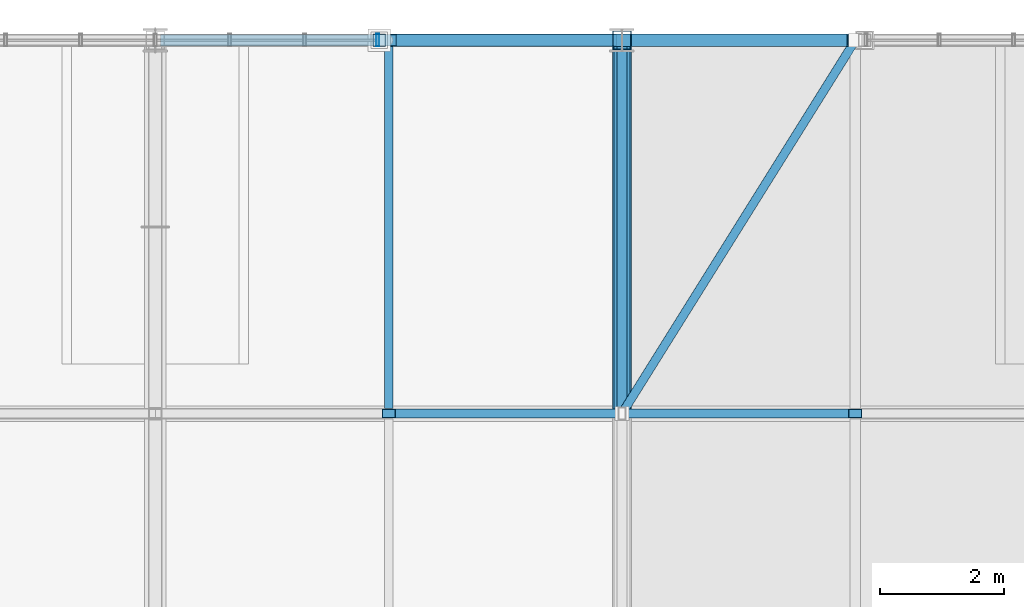
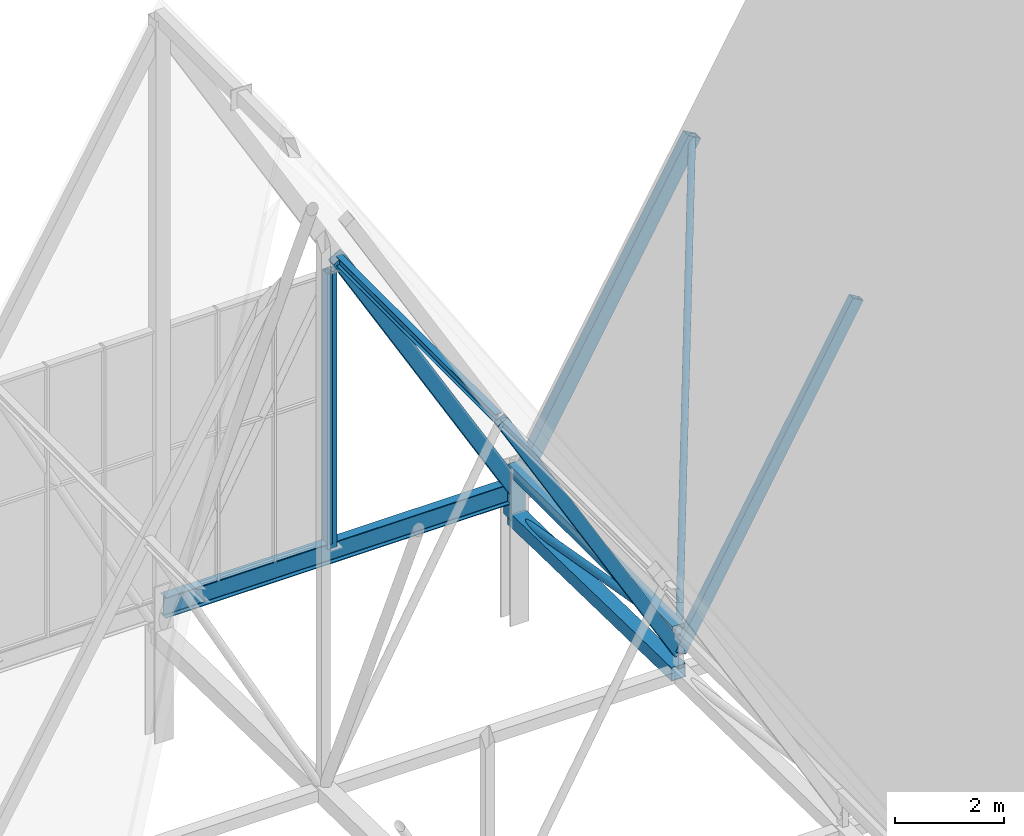
# One storey, part 119 of 324: 11 members, 2 beams, 1 element without a shape of its own.
"""IFC4 building model written with IfcOpenShell, lengths in metres."""

from ifc_helpers import new_model, si_unit, direction, frame, origin, origin_2d, place, context, subcontext, project, spatial, hollow_rectangle, hollow_circle, i_section, extrude, material, layer, layer_set, material_profile, profile_set, type_object, element, aggregate, save


model = new_model("IFC4")

# Units and contexts
model_context = context("Model", 3, precision=1e-05, world=origin(), true_north=direction((0.0, 1.0)))
body_context = subcontext(model_context, "Body", "Model", "MODEL_VIEW")
ifc_project = project(units=[si_unit("LENGTHUNIT", "METRE"), si_unit("AREAUNIT", "SQUARE_METRE"), si_unit("VOLUMEUNIT", "CUBIC_METRE"), si_unit("PLANEANGLEUNIT", "RADIAN"), si_unit("MASSUNIT", "GRAM", prefix="KILO")], contexts=[model_context])

# Site, building, storey
site_placement = place(None, origin())
site = spatial("IfcSite", under=ifc_project, at=site_placement, CompositionType="ELEMENT")
building_placement = place(site_placement, origin())
building = spatial("IfcBuilding", under=site, at=building_placement, Name="Solvenia Promenade Tram Depot", CompositionType="ELEMENT")
storey_placement = place(building_placement, frame((0.0, 0.0, 4.5)))
storey = spatial("IfcBuildingStorey", under=building, at=storey_placement, Name="L01", CompositionType="ELEMENT", Elevation=4.5)

# Curtain wall, member
ifc_material_1 = material(Name="Anodized aluminium AW-6063 T6", Category="aluminium")
ifc_layer = layer(ifc_material_1, 0.14990234375, Name="Anodized aluminium AW-6063 T6", Category="aluminium")
ifc_layer_set = layer_set([ifc_layer], Name="Anodized aluminium AW-6063 T6")
curtain_wall_type = type_object("IfcCurtainWallType", Name="CW-Gable-1200", PredefinedType="NOTDEFINED", material=ifc_layer_set)
curtain_wall_placement = place(storey_placement, origin())
curtain_wall = element("IfcCurtainWall", 1, at=curtain_wall_placement, inside=storey, type_object=curtain_wall_type, Name="North Zigzag Gable 04 Peak Glazing", PredefinedType="NOTDEFINED")
ifc_material_profile_1 = material_profile(ifc_material_1, hollow_rectangle(XDim=0.199951171875, YDim=0.048095703125, WallThickness=0.00390625, at=origin_2d()), Name="ALU-M3", Category="aluminium")
ifc_profile_set_1 = profile_set([ifc_material_profile_1], Name="Anodized aluminium AW-6063 T6")
member_type_1 = type_object("IfcMemberType", Name="CWM-Mullion-3", PredefinedType="MULLION", material=ifc_profile_set_1)
member_1_placement = place(storey_placement, frame((56.075927734375, 126.0, 3.10009765625), z_axis=(0.0, 0.0, 1.0), x_axis=(0.0, 1.0, 0.0)))
member_1 = element("IfcMember", 2, at=member_1_placement, type_object=member_type_1, Name="CW-3 mullion 7", PredefinedType="MULLION", context=body_context, shape_type="SweptSolid", body=[
    extrude(hollow_rectangle(XDim=0.199951171875, YDim=0.048095703125, WallThickness=0.00390625, at=origin_2d()), origin(), (0.0, 0.0, 1.0), 6.0498046875),
])
aggregate(curtain_wall, [member_1])

# Members
ifc_material_2 = material(Name="Structural steel ASTM A500 Gr. C", Category="steel")
ifc_material_profile_2 = material_profile(ifc_material_2, hollow_rectangle(XDim=0.14990234375, YDim=0.25, WallThickness=0.010009765625, at=origin_2d()), Name="HSS250x150x10", Category="steel")
ifc_profile_set_2 = profile_set([ifc_material_profile_2], Name="Structural steel ASTM A500 Gr. C")
member_type_2 = type_object("IfcMemberType", Name="Chord-HSS250x150x10", PredefinedType="CHORD", material=ifc_profile_set_2)
member_2_placement = place(storey_placement, frame((56.25, 120.0, 9.39013671875), z_axis=(0.501516268578, 0.0, -0.865148214095), x_axis=(0.0, 1.0, 0.0)))
element("IfcMember", 3, at=member_2_placement, inside=storey, type_object=member_type_2, Name="Zigzag Gable 04 East Lower Rafter", PredefinedType="CHORD", context=body_context, shape_type="SweptSolid", body=[
    extrude(hollow_rectangle(XDim=0.14990234375, YDim=0.25, WallThickness=0.010009765625, at=origin_2d()), origin(), (0.0, 0.0, 1.0), 7.477294921875),
])
member_3_placement = place(storey_placement, frame((60.0, 120.0, 2.916259765625), z_axis=(0.494861595532, 0.0, 0.868971806946), x_axis=(0.0, 1.0, 0.0)))
element("IfcMember", 4, at=member_3_placement, inside=storey, type_object=member_type_2, Name="Zigzag Gable 05 West Lower Rafter", PredefinedType="CHORD", context=body_context, shape_type="SweptSolid", body=[
    extrude(hollow_rectangle(XDim=0.14990234375, YDim=0.25, WallThickness=0.010009765625, at=origin_2d()), origin(), (0.0, 0.0, 1.0), 7.577880859375),
])
ifc_material_profile_3 = material_profile(ifc_material_2, hollow_rectangle(XDim=0.25, YDim=0.25, WallThickness=0.010009765625, at=origin_2d()), Name="HSS250x250x10", Category="steel")
ifc_profile_set_3 = profile_set([ifc_material_profile_3], Name="Structural steel ASTM A500 Gr. C")
member_type_3 = type_object("IfcMemberType", Name="Chord-HSS250x250x10", PredefinedType="CHORD", material=ifc_profile_set_3)
member_4_placement = place(storey_placement, frame((60.0, 120.0, 3.3798828125), z_axis=(0.0, 1.0, 0.0), x_axis=(-1.0, 0.0, 0.0)))
element("IfcMember", 5, at=member_4_placement, inside=storey, type_object=member_type_3, Name="Arched Truss T09 Upper Chord S10", PredefinedType="CHORD", context=body_context, shape_type="SweptSolid", body=[
    extrude(hollow_rectangle(XDim=0.25, YDim=0.25, WallThickness=0.010009765625, at=origin_2d()), origin(), (0.0, 0.0, 1.0), 6.0),
])
ifc_material_profile_4 = material_profile(ifc_material_2, hollow_rectangle(XDim=0.199951171875, YDim=0.300048828125, WallThickness=0.012451171875, at=origin_2d()), Name="HSS300x200x12.5", Category="steel")
ifc_profile_set_4 = profile_set([ifc_material_profile_4], Name="Structural steel ASTM A500 Gr. C")
member_type_4 = type_object("IfcMemberType", Name="Chord-HSS300x200x12", PredefinedType="CHORD", material=ifc_profile_set_4)
member_5_placement = place(storey_placement, frame((56.25, 126.0, 9.39013671875), z_axis=(0.501516268578, 0.0, -0.865148214095), x_axis=(0.0, 1.0, 0.0)))
element("IfcMember", 6, at=member_5_placement, inside=storey, type_object=member_type_4, Name="Zigzag Gable 04 East Lower Rafter", PredefinedType="CHORD", context=body_context, shape_type="SweptSolid", body=[
    extrude(hollow_rectangle(XDim=0.199951171875, YDim=0.300048828125, WallThickness=0.012451171875, at=origin_2d()), origin(), (0.0, 0.0, 1.0), 7.477294921875),
])
member_6_placement = place(storey_placement, frame((60.0, 126.0, 2.916259765625), z_axis=(0.494861595532, 0.0, 0.868971806946), x_axis=(0.0, 1.0, 0.0)))
element("IfcMember", 7, at=member_6_placement, inside=storey, type_object=member_type_4, Name="Zigzag Gable 05 West Lower Rafter", PredefinedType="CHORD", context=body_context, shape_type="SweptSolid", body=[
    extrude(hollow_rectangle(XDim=0.199951171875, YDim=0.300048828125, WallThickness=0.012451171875, at=origin_2d()), origin(), (0.0, 0.0, 1.0), 7.577880859375),
])
ifc_material_profile_5 = material_profile(ifc_material_2, hollow_rectangle(XDim=0.300048828125, YDim=0.300048828125, WallThickness=0.012451171875, at=origin_2d()), Name="HSS300x300x12.5", Category="steel")
ifc_profile_set_5 = profile_set([ifc_material_profile_5], Name="Structural steel ASTM A500 Gr. C")
member_type_5 = type_object("IfcMemberType", Name="Chord-HSS300x300x12", PredefinedType="CHORD", material=ifc_profile_set_5)
member_7_placement = place(storey_placement, frame((60.0, 126.0, 2.320068359375), z_axis=(0.0, 0.0, 1.0), x_axis=(1.0, 0.0, 0.0)))
element("IfcMember", 8, at=member_7_placement, inside=storey, type_object=member_type_5, Name="Arched Truss T09 N End Post", PredefinedType="CHORD", context=body_context, shape_type="SweptSolid", body=[
    extrude(hollow_rectangle(XDim=0.300048828125, YDim=0.300048828125, WallThickness=0.012451171875, at=origin_2d()), origin(), (0.0, 0.0, 1.0), 1.059814453125),
])
member_8_placement = place(storey_placement, frame((60.0, 120.0, 2.446044921875), z_axis=(0.0, 0.999779654873, -0.020991467363), x_axis=(-1.0, 0.0, 0.0)))
element("IfcMember", 9, at=member_8_placement, inside=storey, type_object=member_type_5, Name="Arched Truss T09 Bottom Chord S10", PredefinedType="CHORD", context=body_context, shape_type="SweptSolid", body=[
    extrude(hollow_rectangle(XDim=0.300048828125, YDim=0.300048828125, WallThickness=0.012451171875, at=origin_2d()), origin(), (0.0, 0.0, 1.0), 6.001220703125),
])
ifc_material_profile_6 = material_profile(ifc_material_2, hollow_rectangle(XDim=0.199951171875, YDim=0.199951171875, WallThickness=0.010009765625, at=origin_2d()), Name="HSS200x200x10", Category="steel")
ifc_profile_set_6 = profile_set([ifc_material_profile_6], Name="Structural steel ASTM A500 Gr. C")
member_type_6 = type_object("IfcMemberType", Name="Post-HSS200x200x10", PredefinedType="POST", material=ifc_profile_set_6)
member_9_placement = place(storey_placement, frame((56.10009765625, 126.0, 3.0), z_axis=(0.0, 0.0, 1.0), x_axis=(1.0, 0.0, 0.0)))
element("IfcMember", 10, at=member_9_placement, inside=storey, type_object=member_type_6, Name="Gable Curtain-Wall Steel Jamb Post 014", PredefinedType="POST", context=body_context, shape_type="SweptSolid", body=[
    extrude(hollow_rectangle(XDim=0.199951171875, YDim=0.199951171875, WallThickness=0.010009765625, at=origin_2d()), origin(), (0.0, 0.0, 1.0), 6.14990234375),
])

# Beam
ifc_material_3 = material(Name="Structural steel ASTM A992 Gr. 50", Category="steel")
ifc_material_profile_7 = material_profile(ifc_material_3, i_section(OverallWidth=0.133056640625, OverallDepth=0.20703125, WebThickness=0.005859375, FlangeThickness=0.00830078125, FilletRadius=0.009033203125, at=origin_2d()), Name="W200x27", Category="steel")
ifc_profile_set_7 = profile_set([ifc_material_profile_7], Name="Structural steel ASTM A992 Gr. 50")
beam_type_1 = type_object("IfcBeamType", Name="Purlin-W200x27", PredefinedType="USERDEFINED", material=ifc_profile_set_7)
beam_1_placement = place(storey_placement, frame((56.25, 120.0849609375, 9.375732421875), z_axis=(0.0, 1.0, 0.0), x_axis=(-1.0, 0.0, 0.0)))
element("IfcBeam", 11, at=beam_1_placement, inside=storey, type_object=beam_type_1, Name="Gable Roof Purlin E-0080", ObjectType="PURLIN", PredefinedType="USERDEFINED", context=body_context, shape_type="SweptSolid", body=[
    extrude(i_section(OverallWidth=0.133056640625, OverallDepth=0.20703125, WebThickness=0.005859375, FlangeThickness=0.00830078125, FilletRadius=0.009033203125, at=origin_2d()), origin(), (0.0, 0.0, 1.0), 5.830078125),
])

# Member
ifc_material_profile_8 = material_profile(ifc_material_2, hollow_circle(Radius=0.06982421875, WallThickness=0.00634765625, at=origin_2d()), Name="CHS139.7x6.3", Category="steel")
ifc_profile_set_8 = profile_set([ifc_material_profile_8], Name="Structural steel ASTM A500 Gr. C")
member_type_7 = type_object("IfcMemberType", Name="RoofBrace-CHS140x6", PredefinedType="BRACE", material=ifc_profile_set_8)
member_10_placement = place(storey_placement, frame((60.0, 120.0, 2.916259765625), z_axis=(0.387973041427, 0.620756866284, 0.681276619361), x_axis=(-0.847998304005, 0.529998940003, 0.0)))
element("IfcMember", 12, at=member_10_placement, inside=storey, type_object=member_type_7, Name="Roof Plan Wind Brace 010", PredefinedType="BRACE", context=body_context, shape_type="SweptSolid", body=[
    extrude(hollow_circle(Radius=0.06982421875, WallThickness=0.00634765625, at=origin_2d()), origin(), (0.0, 0.0, 1.0), 9.66552734375),
])

# Beam
ifc_material_profile_9 = material_profile(ifc_material_3, i_section(OverallWidth=0.19091796875, OverallDepth=0.4599609375, WebThickness=0.010009765625, FlangeThickness=0.01611328125, FilletRadius=0.012939453125, at=origin_2d()), Name="W460x82", Category="steel")
ifc_profile_set_9 = profile_set([ifc_material_profile_9], Name="Structural steel ASTM A992 Gr. 50")
beam_type_2 = type_object("IfcBeamType", Name="Spandrel-W460x82", PredefinedType="SPANDREL", material=ifc_profile_set_9)
beam_2_placement = place(storey_placement, frame((52.5849609375, 126.0, 2.889892578125), z_axis=(1.0, 0.0, 0.0), x_axis=(0.0, 1.0, 0.0)))
element("IfcBeam", 13, at=beam_2_placement, inside=storey, type_object=beam_type_2, Name="North Shed Eave Girder BM-L01-0975", PredefinedType="SPANDREL", context=body_context, shape_type="SweptSolid", body=[
    extrude(i_section(OverallWidth=0.19091796875, OverallDepth=0.4599609375, WebThickness=0.010009765625, FlangeThickness=0.01611328125, FilletRadius=0.012939453125, at=origin_2d()), origin(), (0.0, 0.0, 1.0), 7.330078125),
])

# Member
ifc_material_profile_10 = material_profile(ifc_material_2, hollow_circle(Radius=0.084228515625, WallThickness=0.008056640625, at=origin_2d()), Name="CHS168.3x8", Category="steel")
ifc_profile_set_10 = profile_set([ifc_material_profile_10], Name="Structural steel ASTM A500 Gr. C")
member_type_8 = type_object("IfcMemberType", Name="WebDiag-CHS168x8", PredefinedType="BRACE", material=ifc_profile_set_10)
member_11_placement = place(storey_placement, frame((60.0, 126.0, 2.320068359375), z_axis=(0.0, -0.984755712458, 0.173943056143), x_axis=(1.0, 0.0, 0.0)))
element("IfcMember", 14, at=member_11_placement, inside=storey, type_object=member_type_8, Name="Arched Truss T09 Web Diagonal S10", PredefinedType="BRACE", context=body_context, shape_type="SweptSolid", body=[
    extrude(hollow_circle(Radius=0.084228515625, WallThickness=0.008056640625, at=origin_2d()), origin(), (0.0, 0.0, 1.0), 6.0927734375),
])

save(model, "model.ifc")
